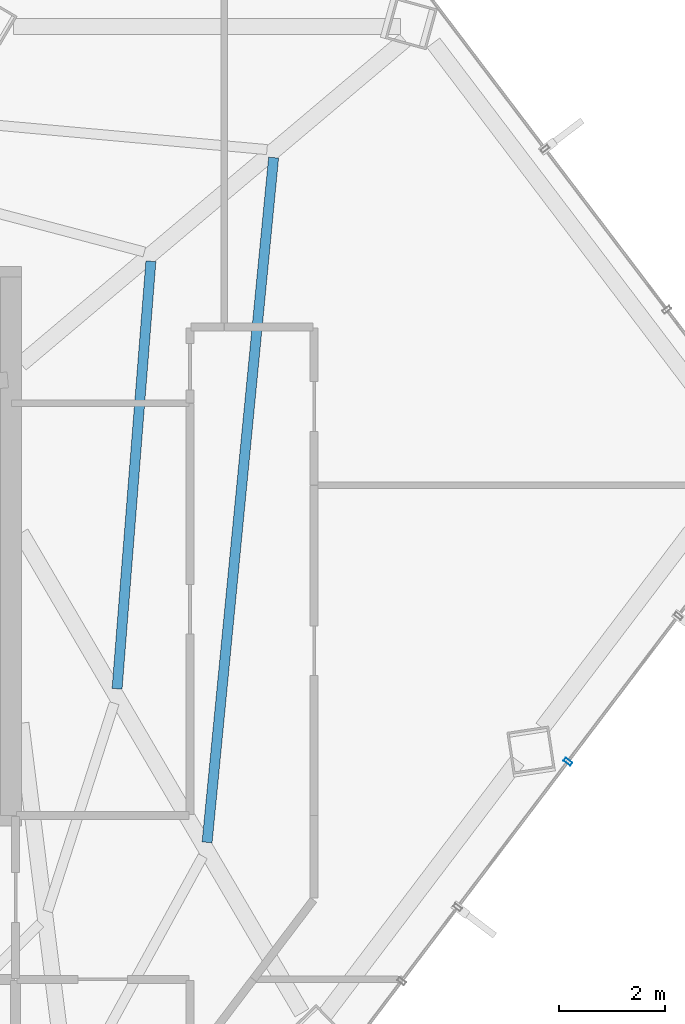
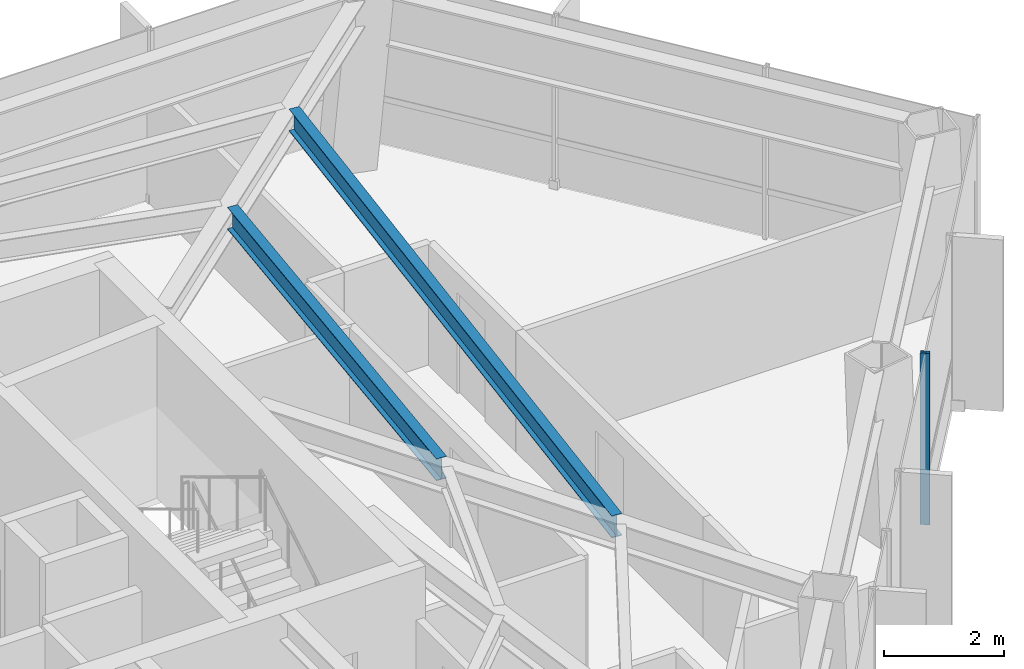
# One storey, part 22 of 30: 2 beams, 1 member, 1 element without a shape of its own.
"""IFC4 building model written with IfcOpenShell, lengths in metres."""

from ifc_helpers import new_model, si_unit, direction, frame, origin, origin_2d, place, context, subcontext, project, spatial, hollow_rectangle, i_section, extrude, material, layer, layer_set, material_profile, profile_set, type_object, element, aggregate, save


model = new_model("IFC4")

# Units and contexts
model_context = context("Model", 3, precision=1e-05, world=origin(), true_north=direction((0.0, 1.0)))
body_context = subcontext(model_context, "Body", "Model", "MODEL_VIEW")
ifc_project = project(units=[si_unit("LENGTHUNIT", "METRE"), si_unit("AREAUNIT", "SQUARE_METRE"), si_unit("VOLUMEUNIT", "CUBIC_METRE"), si_unit("PLANEANGLEUNIT", "RADIAN"), si_unit("MASSUNIT", "GRAM", prefix="KILO")], contexts=[model_context])

# Site, building, storey
site_placement = place(None, origin())
site = spatial("IfcSite", under=ifc_project, at=site_placement, CompositionType="ELEMENT")
building_placement = place(site_placement, origin())
building = spatial("IfcBuilding", under=site, at=building_placement, Name="Zarrinselat Tower", CompositionType="ELEMENT")
storey_placement = place(building_placement, frame((0.0, 0.0, 160.820068359375)))
storey = spatial("IfcBuildingStorey", under=building, at=storey_placement, Name="L39", CompositionType="ELEMENT", Elevation=160.820068359375)

# Beams
ifc_material_1 = material(Name="Steel S355J2", Category="steel")
ifc_material_profile_1 = material_profile(ifc_material_1, i_section(OverallWidth=0.18994140625, OverallDepth=0.449951171875, WebThickness=0.009521484375, FlangeThickness=0.0146484375, at=origin_2d()), Name="IPE 450")
ifc_profile_set_1 = profile_set([ifc_material_profile_1], Name="Steel S355J2")
beam_type = type_object("IfcBeamType", Name="BM-IPE450", PredefinedType="JOIST", material=ifc_profile_set_1)
beam_1_placement = place(storey_placement, frame((51.97314453125, 32.743408203125, 3.27490234375), z_axis=(0.096689630282, 0.995314581123, 0.0), x_axis=(-0.995314581123, 0.096689630282, 0.0)))
element("IfcBeam", 1, at=beam_1_placement, inside=storey, type_object=beam_type, Name="L39 Composite Floor Joist 5-1", PredefinedType="JOIST", context=body_context, shape_type="SweptSolid", body=[
    extrude(i_section(OverallWidth=0.18994140625, OverallDepth=0.449951171875, WebThickness=0.009521484375, FlangeThickness=0.0146484375, at=origin_2d()), origin(), (0.0, 0.0, 1.0), 13.02392578125),
])
beam_2_placement = place(storey_placement, frame((50.26904296875, 35.65087890625, 3.27490234375), z_axis=(0.078876287688, 0.996884412177, 0.0), x_axis=(-0.996884412177, 0.078876287688, 0.0)))
element("IfcBeam", 2, at=beam_2_placement, inside=storey, type_object=beam_type, Name="L39 Composite Floor Joist 5-2", PredefinedType="JOIST", context=body_context, shape_type="SweptSolid", body=[
    extrude(i_section(OverallWidth=0.18994140625, OverallDepth=0.449951171875, WebThickness=0.009521484375, FlangeThickness=0.0146484375, at=origin_2d()), origin(), (0.0, 0.0, 1.0), 8.118896484375),
])

# Curtain wall, member
ifc_material_2 = material(Name="Extruded Aluminium Alloy EN AW-6063 T6", Category="aluminium")
ifc_layer = layer(ifc_material_2, 0.175048828125)
ifc_layer_set = layer_set([ifc_layer], Name="Extruded Aluminium Alloy EN AW-6063 T6")
curtain_wall_type = type_object("IfcCurtainWallType", Name="CWS-HTL", PredefinedType="NOTDEFINED", material=ifc_layer_set)
curtain_wall_placement = place(storey_placement, origin())
curtain_wall = element("IfcCurtainWall", 3, at=curtain_wall_placement, inside=storey, type_object=curtain_wall_type, Name="L39 Unitised Curtain Wall CW-L39-E05", PredefinedType="NOTDEFINED")
ifc_material_3 = material(Name="Extruded Aluminium Alloy EN AW-6063 T6", Category="aluminium")
ifc_material_profile_2 = material_profile(ifc_material_3, hollow_rectangle(XDim=0.070068359375, YDim=0.159912109375, WallThickness=0.00390625, at=origin_2d()), Name="RHS 160x70x4")
ifc_profile_set_2 = profile_set([ifc_material_profile_2], Name="Extruded Aluminium Alloy EN AW-6063 T6")
member_type = type_object("IfcMemberType", Name="MEM-CW-MUL2", PredefinedType="MULLION", material=ifc_profile_set_2)
member_placement = place(storey_placement, frame((58.80419921875, 34.27001953125, 0.0), z_axis=(0.0, 0.0, 1.0), x_axis=(-0.603858522722, -0.797091515785, 0.0)))
member = element("IfcMember", 4, at=member_placement, type_object=member_type, Name="CW-L39-E05 Mullion 2", PredefinedType="MULLION", context=body_context, shape_type="SweptSolid", body=[
    extrude(hollow_rectangle(XDim=0.070068359375, YDim=0.159912109375, WallThickness=0.00390625, at=origin_2d()), origin(), (0.0, 0.0, 1.0), 3.5),
])
aggregate(curtain_wall, [member])

save(model, "model.ifc")
